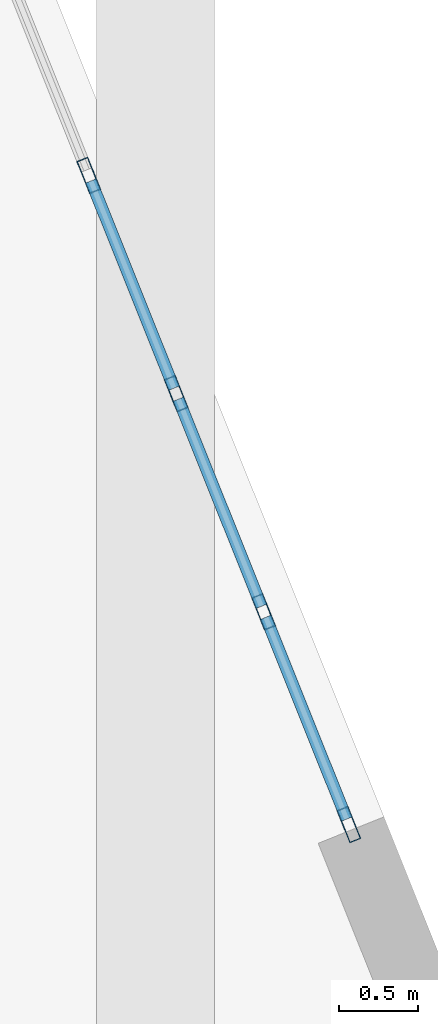
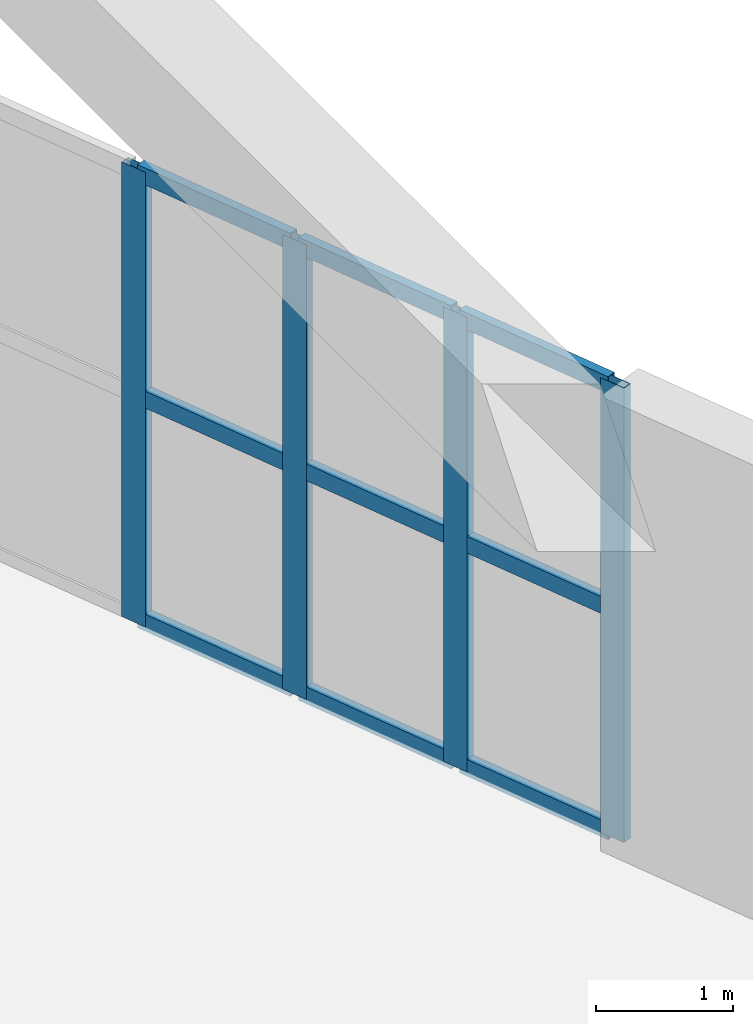
# One storey, part 20 of 34: 13 members, 1 element without a shape of its own.
"""IFC4 building model written with IfcOpenShell, lengths in metres."""

from ifc_helpers import new_model, si_unit, direction, frame, origin, origin_2d, place, context, subcontext, project, spatial, hollow_rectangle, extrude, material, layer, layer_set, material_profile, profile_set, type_object, element, aggregate, save


model = new_model("IFC4")

# Units and contexts
model_context = context("Model", 3, precision=1e-05, world=origin(), true_north=direction((0.0, 1.0)))
body_context = subcontext(model_context, "Body", "Model", "MODEL_VIEW")
ifc_project = project(units=[si_unit("LENGTHUNIT", "METRE"), si_unit("AREAUNIT", "SQUARE_METRE"), si_unit("VOLUMEUNIT", "CUBIC_METRE"), si_unit("PLANEANGLEUNIT", "RADIAN"), si_unit("MASSUNIT", "GRAM", prefix="KILO")], contexts=[model_context])

# Site, building, storey
site_placement = place(None, origin())
site = spatial("IfcSite", under=ifc_project, at=site_placement, CompositionType="ELEMENT")
building_placement = place(site_placement, origin())
building = spatial("IfcBuilding", under=site, at=building_placement, Name="Kilnhurst Terrace Hotel", CompositionType="ELEMENT")
storey_placement = place(building_placement, frame((0.0, 0.0, 6.0)))
storey = spatial("IfcBuildingStorey", under=building, at=storey_placement, Name="L01", CompositionType="ELEMENT", Elevation=6.0)

# Curtain wall, members
ifc_material_1 = material(Name="Anodized Aluminium Alloy 6063-T6 and Low-E Glass", Category="aluminium")
ifc_layer = layer(ifc_material_1, 0.219970703125, Name="Anodized Aluminium Alloy 6063-T6 and Low-E Glass")
ifc_layer_set = layer_set([ifc_layer], Name="Anodized Aluminium Alloy 6063-T6 and Low-E Glass")
curtain_wall_type = type_object("IfcCurtainWallType", Name="CW-POD-LOBBY", PredefinedType="NOTDEFINED", material=ifc_layer_set)
curtain_wall_placement = place(storey_placement, origin())
curtain_wall = element("IfcCurtainWall", 1, at=curtain_wall_placement, inside=storey, type_object=curtain_wall_type, Name="L01 Curtain Wall CW-L01-F3-1", PredefinedType="NOTDEFINED")
ifc_material_2 = material(Name="Extruded Aluminium Alloy 6063-T6", Category="aluminium")
ifc_material_profile_1 = material_profile(ifc_material_2, hollow_rectangle(XDim=0.074951171875, YDim=0.219970703125, WallThickness=0.00390625, at=origin_2d()), Name="CWM75X220")
ifc_profile_set_1 = profile_set([ifc_material_profile_1], Name="Extruded Aluminium Alloy 6063-T6")
member_type_1 = type_object("IfcMemberType", Name="MEM-CWM75X220", PredefinedType="MULLION", material=ifc_profile_set_1)
member_1_placement = place(storey_placement, frame((28.828125, 8.961181640625, 0.0), z_axis=(0.0, 0.0, 1.0), x_axis=(-0.928250672463, -0.371955224552, 0.0)))
member_1 = element("IfcMember", 2, at=member_1_placement, type_object=member_type_1, Name="CWL-1 mullion 1", PredefinedType="MULLION", context=body_context, shape_type="SweptSolid", body=[
    extrude(hollow_rectangle(XDim=0.074951171875, YDim=0.219970703125, WallThickness=0.00390625, at=origin_2d()), origin(), (0.0, 0.0, 1.0), 4.050048828125),
])
member_2_placement = place(storey_placement, frame((28.28662109375, 10.31201171875, 0.0), z_axis=(0.0, 0.0, 1.0), x_axis=(-0.928250672463, -0.371955224552, 0.0)))
member_2 = element("IfcMember", 3, at=member_2_placement, type_object=member_type_1, Name="CWL-1 mullion 2", PredefinedType="MULLION", context=body_context, shape_type="SweptSolid", body=[
    extrude(hollow_rectangle(XDim=0.074951171875, YDim=0.219970703125, WallThickness=0.00390625, at=origin_2d()), origin(), (0.0, 0.0, 1.0), 4.050048828125),
])
member_3_placement = place(storey_placement, frame((27.7314453125, 11.69775390625, 0.0), z_axis=(0.0, 0.0, 1.0), x_axis=(-0.928250672463, -0.371955224552, 0.0)))
member_3 = element("IfcMember", 4, at=member_3_placement, type_object=member_type_1, Name="CWL-1 mullion 3", PredefinedType="MULLION", context=body_context, shape_type="SweptSolid", body=[
    extrude(hollow_rectangle(XDim=0.074951171875, YDim=0.219970703125, WallThickness=0.00390625, at=origin_2d()), origin(), (0.0, 0.0, 1.0), 4.050048828125),
])
member_4_placement = place(storey_placement, frame((27.176025390625, 13.083740234375, 0.0), z_axis=(0.0, 0.0, 1.0), x_axis=(-0.928250672463, -0.371955224552, 0.0)))
member_4 = element("IfcMember", 5, at=member_4_placement, type_object=member_type_1, Name="CWL-1 mullion 4", PredefinedType="MULLION", context=body_context, shape_type="SweptSolid", body=[
    extrude(hollow_rectangle(XDim=0.074951171875, YDim=0.219970703125, WallThickness=0.00390625, at=origin_2d()), origin(), (0.0, 0.0, 1.0), 4.050048828125),
])
ifc_material_profile_2 = material_profile(ifc_material_2, hollow_rectangle(XDim=0.074951171875, YDim=0.14990234375, WallThickness=0.00390625, at=origin_2d()), Name="CWT75X150")
ifc_profile_set_2 = profile_set([ifc_material_profile_2], Name="Extruded Aluminium Alloy 6063-T6")
member_type_2 = type_object("IfcMemberType", Name="MEM-CWT75X150", PredefinedType="USERDEFINED", material=ifc_profile_set_2)
member_5_placement = place(storey_placement, frame((28.814208984375, 8.995849609375, 0.03759765625), z_axis=(-0.371908962746, 0.928269208489, 0.0), x_axis=(-0.928269208489, -0.371908962746, 0.0)))
member_5 = element("IfcMember", 6, at=member_5_placement, type_object=member_type_2, Name="CWL-1 transom 1.1", ObjectType="TRANSOM", PredefinedType="USERDEFINED", context=body_context, shape_type="SweptSolid", body=[
    extrude(hollow_rectangle(XDim=0.074951171875, YDim=0.14990234375, WallThickness=0.00390625, at=origin_2d()), origin(), (0.0, 0.0, 1.0), 1.380615234375),
])
member_6_placement = place(storey_placement, frame((28.814208984375, 8.995849609375, 2.02490234375), z_axis=(-0.371908962746, 0.928269208489, 0.0), x_axis=(-0.928269208489, -0.371908962746, 0.0)))
member_6 = element("IfcMember", 7, at=member_6_placement, type_object=member_type_2, Name="CWL-1 transom 1.2", ObjectType="TRANSOM", PredefinedType="USERDEFINED", context=body_context, shape_type="SweptSolid", body=[
    extrude(hollow_rectangle(XDim=0.074951171875, YDim=0.14990234375, WallThickness=0.00390625, at=origin_2d()), origin(), (0.0, 0.0, 1.0), 1.380615234375),
])
member_7_placement = place(storey_placement, frame((28.814208984375, 8.995849609375, 4.012451171875), z_axis=(-0.371908962746, 0.928269208489, 0.0), x_axis=(-0.928269208489, -0.371908962746, 0.0)))
member_7 = element("IfcMember", 8, at=member_7_placement, type_object=member_type_2, Name="CWL-1 transom 1.3", ObjectType="TRANSOM", PredefinedType="USERDEFINED", context=body_context, shape_type="SweptSolid", body=[
    extrude(hollow_rectangle(XDim=0.074951171875, YDim=0.14990234375, WallThickness=0.00390625, at=origin_2d()), origin(), (0.0, 0.0, 1.0), 1.380615234375),
])
member_8_placement = place(storey_placement, frame((28.272705078125, 10.346923828125, 0.03759765625), z_axis=(-0.371924989829, 0.928262787114, 0.0), x_axis=(-0.928262787114, -0.371924989829, 0.0)))
member_8 = element("IfcMember", 9, at=member_8_placement, type_object=member_type_2, Name="CWL-1 transom 2.1", ObjectType="TRANSOM", PredefinedType="USERDEFINED", context=body_context, shape_type="SweptSolid", body=[
    extrude(hollow_rectangle(XDim=0.074951171875, YDim=0.14990234375, WallThickness=0.00390625, at=origin_2d()), origin(), (0.0, 0.0, 1.0), 1.41796875),
])
member_9_placement = place(storey_placement, frame((28.272705078125, 10.346923828125, 2.02490234375), z_axis=(-0.371924989829, 0.928262787114, 0.0), x_axis=(-0.928262787114, -0.371924989829, 0.0)))
member_9 = element("IfcMember", 10, at=member_9_placement, type_object=member_type_2, Name="CWL-1 transom 2.2", ObjectType="TRANSOM", PredefinedType="USERDEFINED", context=body_context, shape_type="SweptSolid", body=[
    extrude(hollow_rectangle(XDim=0.074951171875, YDim=0.14990234375, WallThickness=0.00390625, at=origin_2d()), origin(), (0.0, 0.0, 1.0), 1.41796875),
])
member_10_placement = place(storey_placement, frame((28.272705078125, 10.346923828125, 4.012451171875), z_axis=(-0.371924989829, 0.928262787114, 0.0), x_axis=(-0.928262787114, -0.371924989829, 0.0)))
member_10 = element("IfcMember", 11, at=member_10_placement, type_object=member_type_2, Name="CWL-1 transom 2.3", ObjectType="TRANSOM", PredefinedType="USERDEFINED", context=body_context, shape_type="SweptSolid", body=[
    extrude(hollow_rectangle(XDim=0.074951171875, YDim=0.14990234375, WallThickness=0.00390625, at=origin_2d()), origin(), (0.0, 0.0, 1.0), 1.41796875),
])
member_11_placement = place(storey_placement, frame((27.717529296875, 11.732666015625, 0.03759765625), z_axis=(-0.371924989829, 0.928262787114, 0.0), x_axis=(-0.928262787114, -0.371924989829, 0.0)))
member_11 = element("IfcMember", 12, at=member_11_placement, type_object=member_type_2, Name="CWL-1 transom 3.1", ObjectType="TRANSOM", PredefinedType="USERDEFINED", context=body_context, shape_type="SweptSolid", body=[
    extrude(hollow_rectangle(XDim=0.074951171875, YDim=0.14990234375, WallThickness=0.00390625, at=origin_2d()), origin(), (0.0, 0.0, 1.0), 1.41796875),
])
member_12_placement = place(storey_placement, frame((27.717529296875, 11.732666015625, 2.02490234375), z_axis=(-0.371924989829, 0.928262787114, 0.0), x_axis=(-0.928262787114, -0.371924989829, 0.0)))
member_12 = element("IfcMember", 13, at=member_12_placement, type_object=member_type_2, Name="CWL-1 transom 3.2", ObjectType="TRANSOM", PredefinedType="USERDEFINED", context=body_context, shape_type="SweptSolid", body=[
    extrude(hollow_rectangle(XDim=0.074951171875, YDim=0.14990234375, WallThickness=0.00390625, at=origin_2d()), origin(), (0.0, 0.0, 1.0), 1.41796875),
])
member_13_placement = place(storey_placement, frame((27.717529296875, 11.732666015625, 4.012451171875), z_axis=(-0.371924989829, 0.928262787114, 0.0), x_axis=(-0.928262787114, -0.371924989829, 0.0)))
member_13 = element("IfcMember", 14, at=member_13_placement, type_object=member_type_2, Name="CWL-1 transom 3.3", ObjectType="TRANSOM", PredefinedType="USERDEFINED", context=body_context, shape_type="SweptSolid", body=[
    extrude(hollow_rectangle(XDim=0.074951171875, YDim=0.14990234375, WallThickness=0.00390625, at=origin_2d()), origin(), (0.0, 0.0, 1.0), 1.41796875),
])
aggregate(curtain_wall, [member_1, member_2, member_3, member_4, member_5, member_6, member_7, member_8, member_9, member_10, member_11, member_12, member_13])

save(model, "model.ifc")
